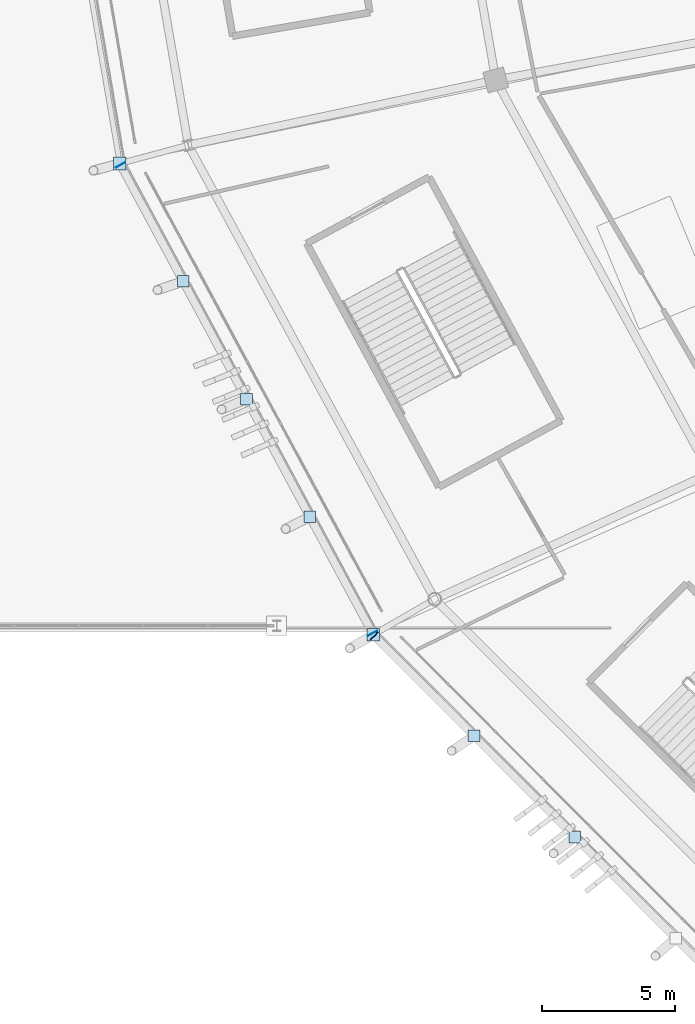
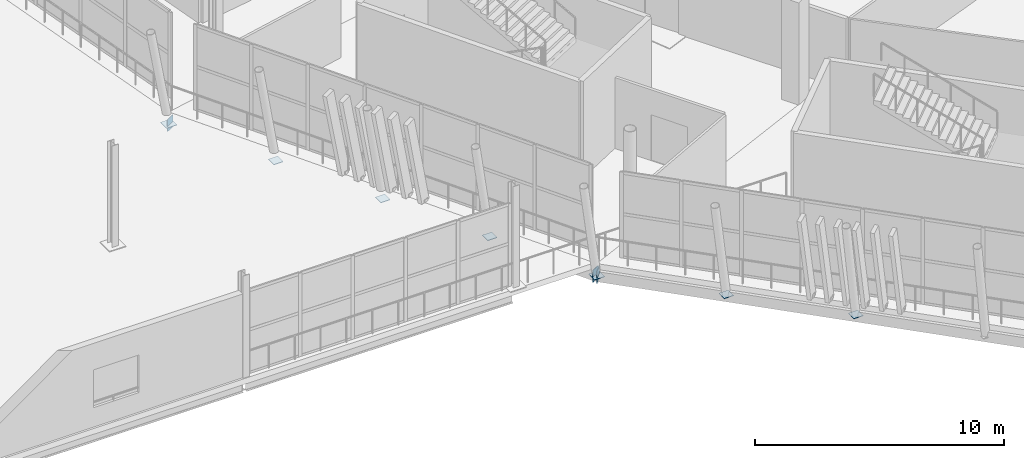
# One storey, part 105 of 179: 10 plates.
"""IFC4 building model written with IfcOpenShell, lengths in metres."""

from ifc_helpers import new_model, si_unit, direction, frame, origin, origin_2d, place, context, subcontext, project, spatial, rectangle, extrude, material, layer, layer_set, type_object, element, save


model = new_model("IFC4")

# Units and contexts
model_context = context("Model", 3, precision=1e-05, world=origin(), true_north=direction((0.0, 1.0)))
body_context = subcontext(model_context, "Body", "Model", "MODEL_VIEW")
ifc_project = project(units=[si_unit("LENGTHUNIT", "METRE"), si_unit("AREAUNIT", "SQUARE_METRE"), si_unit("VOLUMEUNIT", "CUBIC_METRE"), si_unit("PLANEANGLEUNIT", "RADIAN"), si_unit("MASSUNIT", "GRAM", prefix="KILO")], contexts=[model_context])

# Site, building, storey
site_placement = place(None, origin())
site = spatial("IfcSite", under=ifc_project, at=site_placement, CompositionType="ELEMENT")
building_placement = place(site_placement, origin())
building = spatial("IfcBuilding", under=site, at=building_placement, Name="Zlatoyarsky Gate Stadium", CompositionType="ELEMENT")
storey_placement = place(building_placement, frame((0.0, 0.0, 10.60009765625)))
storey = spatial("IfcBuildingStorey", under=building, at=storey_placement, Name="L02", CompositionType="ELEMENT", Elevation=10.60009765625)

# Plates
ifc_material = material(Name="Steel S355", Category="steel")
ifc_layer = layer(ifc_material, 0.02392578125)
ifc_layer_set = layer_set([ifc_layer], Name="Steel S355")
plate_type = type_object("IfcPlateType", Name="STEEL HOLLOW CHORD SPLICE SHEET 24", PredefinedType="SHEET", material=ifc_layer_set)
for number, where, z_axis, x_axis, name in (
    (1, (18.612548828125, 60.87841796875, -0.830078125), (0.0, 0.0, 1.0), (0.473714375599, -0.880678539735, 0.0), "Hollow end cap ND-SP1 CAP-L02-SPD-13 A"),
    (2, (28.11376953125, 43.21484375, -0.830078125), (0.0, 0.0, 1.0), (0.473714375599, -0.880678539735, 0.0), "Hollow end cap ND-SP1 CAP-L02-SPD-13 B"),
):
    element("IfcPlate", number, at=place(storey_placement, frame(where, z_axis=z_axis, x_axis=x_axis)), inside=storey, type_object=plate_type, Name=name, PredefinedType="SHEET", context=body_context, shape_type="SweptSolid", body=[
        extrude(rectangle(XDim=0.02392578125, YDim=0.39990234375, at=origin_2d()), origin(), (0.0, 0.0, 1.0), 0.60009765625),
    ])
plate_1_placement = place(storey_placement, frame((18.584228515625, 60.931396484375, -0.592041015625), z_axis=(0.0, 0.0, 1.0), x_axis=(1.0, 0.0, 0.0)))
element("IfcPlate", 3, at=plate_1_placement, inside=storey, type_object=plate_type, Name="Node closure plate ND-SP1 NCAP-L02-RSTR-13", PredefinedType="SHEET", context=body_context, shape_type="SweptSolid", body=[
    extrude(rectangle(XDim=0.47998046875, YDim=0.47998046875, at=origin_2d()), origin(), (0.0, 0.0, 1.0), 0.02392578125),
])
plate_2_placement = place(storey_placement, frame((28.1845703125, 43.11962890625, -0.830078125), z_axis=(0.0, 0.0, 1.0), x_axis=(0.705849920208, -0.708361412093, 0.0)))
element("IfcPlate", 4, at=plate_2_placement, inside=storey, type_object=plate_type, Name="Hollow end cap ND-SP1 CAP-L02-SPD-14 A", PredefinedType="SHEET", context=body_context, shape_type="SweptSolid", body=[
    extrude(rectangle(XDim=0.02392578125, YDim=0.39990234375, at=origin_2d()), origin(), (0.0, 0.0, 1.0), 0.60009765625),
])
plate_3_placement = place(storey_placement, frame((28.14208984375, 43.162109375, -0.592041015625), z_axis=(0.0, 0.0, 1.0), x_axis=(1.0, 0.0, 0.0)))
element("IfcPlate", 5, at=plate_3_placement, inside=storey, type_object=plate_type, Name="Node closure plate ND-SP1 NCAP-L02-RSTR-14", PredefinedType="SHEET", context=body_context, shape_type="SweptSolid", body=[
    extrude(rectangle(XDim=0.47998046875, YDim=0.47998046875, at=origin_2d()), origin(), (0.0, 0.0, 1.0), 0.02392578125),
])
for number, where, z_axis, x_axis, name in (
    (6, (20.9736328125, 56.489013671875, -0.5419921875), (0.0, 0.0, 1.0), (1.0, 0.0, 0.0), "Node closure plate ND-SP1 NCAP-RIB-13-1-0T"),
    (7, (23.36328125, 52.046630859375, -0.5419921875), (0.0, 0.0, 1.0), (1.0, 0.0, 0.0), "Node closure plate ND-SP1 NCAP-RIB-13-2-0T"),
    (8, (25.752685546875, 47.6044921875, -0.5419921875), (0.0, 0.0, 1.0), (1.0, 0.0, 0.0), "Node closure plate ND-SP1 NCAP-RIB-13-3-0T"),
    (9, (31.943359375, 39.347412109375, -0.5419921875), (0.0, 0.0, 1.0), (1.0, 0.0, 0.0), "Node closure plate ND-SP1 NCAP-RIB-14-1-0T"),
    (10, (35.744384765625, 35.53271484375, -0.5419921875), (0.0, 0.0, 1.0), (1.0, 0.0, 0.0), "Node closure plate ND-SP1 NCAP-RIB-14-2-0T"),
):
    element("IfcPlate", number, at=place(storey_placement, frame(where, z_axis=z_axis, x_axis=x_axis)), inside=storey, type_object=plate_type, Name=name, PredefinedType="SHEET", context=body_context, shape_type="SweptSolid", body=[
        extrude(rectangle(XDim=0.43994140625, YDim=0.43994140625, at=origin_2d()), origin(), (0.0, 0.0, 1.0), 0.02392578125),
    ])

save(model, "model.ifc")
